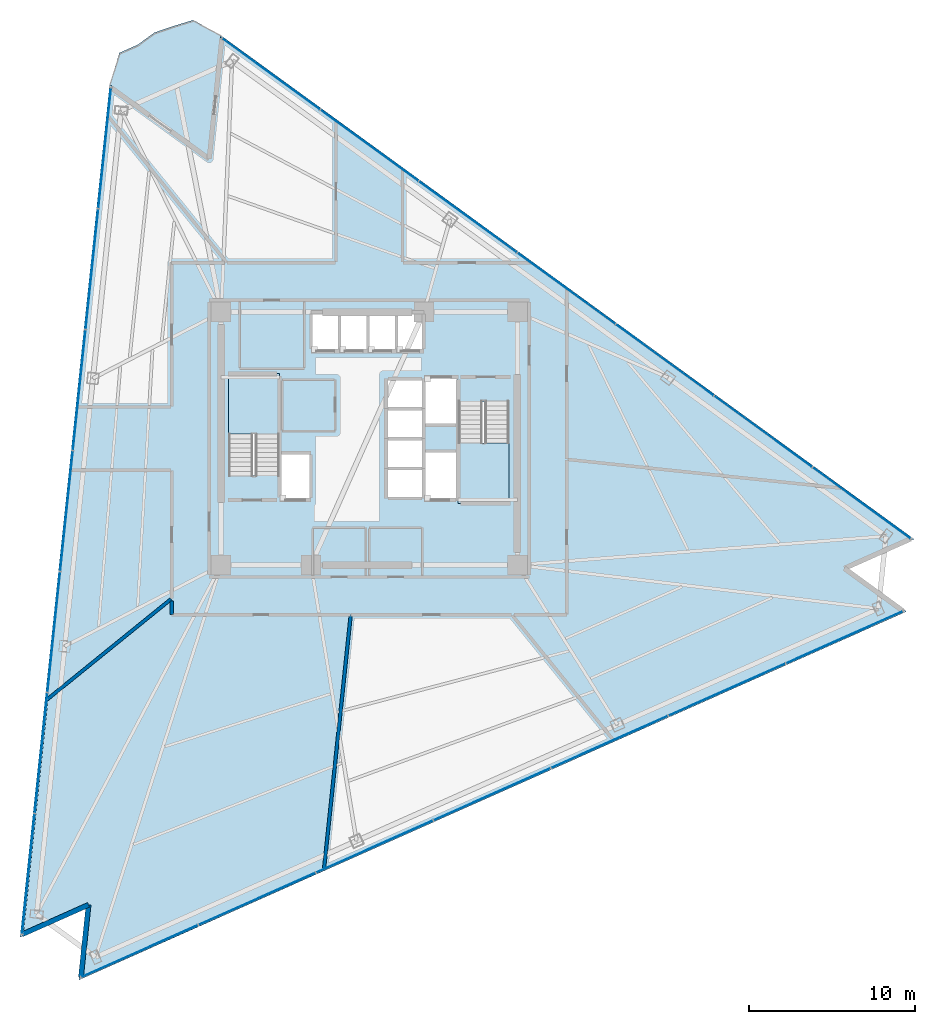
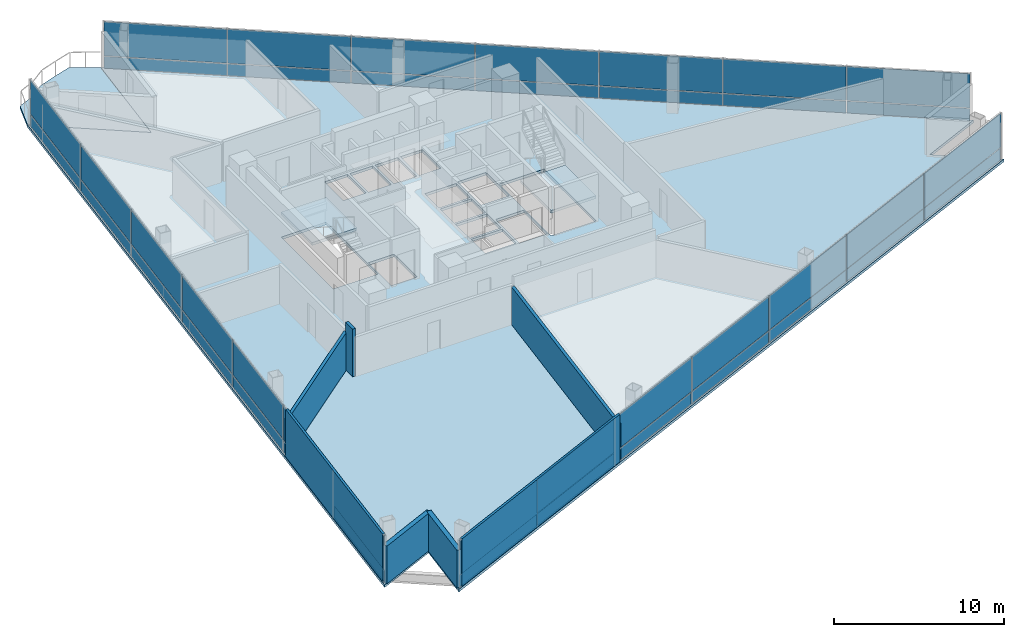
# One storey, part 10 of 17: 42 plates, 7 walls, 4 slabs, 5 elements without a shape of their own.
"""IFC4 building model written with IfcOpenShell, lengths in metres."""

from ifc_helpers import new_model, si_unit, direction, frame, frame_2d, origin, origin_2d, place, context, subcontext, project, spatial, polyline, rectangle, outline, extrude, material, layer, layer_set, type_object, element, aggregate, save


model = new_model("IFC4")

# Units and contexts
model_context = context("Model", 3, precision=1e-05, world=origin(), true_north=direction((0.0, 1.0)))
body_context = subcontext(model_context, "Body", "Model", "MODEL_VIEW")
ifc_project = project(units=[si_unit("LENGTHUNIT", "METRE"), si_unit("AREAUNIT", "SQUARE_METRE"), si_unit("VOLUMEUNIT", "CUBIC_METRE"), si_unit("PLANEANGLEUNIT", "RADIAN"), si_unit("MASSUNIT", "GRAM", prefix="KILO")], contexts=[model_context])

# Site, building, storey
site_placement = place(None, origin())
site = spatial("IfcSite", under=ifc_project, at=site_placement, CompositionType="ELEMENT")
building_placement = place(site_placement, origin())
building = spatial("IfcBuilding", under=site, at=building_placement, Name="Tharavind Bronze Gate", CompositionType="ELEMENT")
storey_placement = place(building_placement, frame((0.0, 0.0, 119.64990234375)))
storey = spatial("IfcBuildingStorey", under=building, at=storey_placement, Name="L30", CompositionType="ELEMENT", Elevation=119.64990234375)

# Curtain wall, plates
ifc_material_1 = material(Name="Anodised Bronze Aluminium", Category="aluminium")
ifc_layer_1 = layer(ifc_material_1, 0.219970703125)
ifc_layer_set_1 = layer_set([ifc_layer_1], Name="Anodised Bronze Aluminium")
curtain_wall_type = type_object("IfcCurtainWallType", Name="UNITISED CURTAIN WALL LOWER OFFICE", PredefinedType="USERDEFINED", material=ifc_layer_set_1)
curtain_wall_1_placement = place(storey_placement, origin())
curtain_wall_1 = element("IfcCurtainWall", 1, at=curtain_wall_1_placement, inside=storey, type_object=curtain_wall_type, Name="L30 unitised curtain wall lower office CW-L30-S1", ObjectType="UNITISED CURTAIN WALL", PredefinedType="USERDEFINED")
ifc_material_2 = material(Name="Patinated Bronze Alloy Sheet", Category="bronze")
ifc_layer_2 = layer(ifc_material_2, 0.01611328125)
ifc_layer_set_2 = layer_set([ifc_layer_2], Name="Patinated Bronze Alloy Sheet")
plate_type_1 = type_object("IfcPlateType", Name="BRONZE SPANDREL CLADDING PANEL 16", PredefinedType="CURTAIN_PANEL", material=ifc_layer_set_2)
plate_1_placement = place(storey_placement, frame((-15.909912109375, 17.465087890625, 0.02685546875), z_axis=(0.0, 0.0, 1.0), x_axis=(-0.104526727499, -0.994522077803, 0.0)))
plate_1 = element("IfcPlate", 2, at=plate_1_placement, type_object=plate_type_1, Name="CW-L30-S1 bronze spandrel panel 1", PredefinedType="CURTAIN_PANEL", context=body_context, shape_type="SweptSolid", body=[
    extrude(rectangle(XDim=7.26025390625, YDim=0.01611328125, at=origin_2d()), origin(), (0.0, 0.0, 1.0), 0.846923828125),
])
plate_2_placement = place(storey_placement, frame((-16.67431640625, 10.19189453125, 0.02685546875), z_axis=(0.0, 0.0, 1.0), x_axis=(-0.104526727499, -0.994522077803, 0.0)))
plate_2 = element("IfcPlate", 3, at=plate_2_placement, type_object=plate_type_1, Name="CW-L30-S1 bronze spandrel panel 2", PredefinedType="CURTAIN_PANEL", context=body_context, shape_type="SweptSolid", body=[
    extrude(rectangle(XDim=7.26025390625, YDim=0.01611328125, at=origin_2d()), origin(), (0.0, 0.0, 1.0), 0.846923828125),
])
plate_3_placement = place(storey_placement, frame((-17.438720703125, 2.91845703125, 0.02685546875), z_axis=(0.0, 0.0, 1.0), x_axis=(-0.104526727499, -0.994522077803, 0.0)))
plate_3 = element("IfcPlate", 4, at=plate_3_placement, type_object=plate_type_1, Name="CW-L30-S1 bronze spandrel panel 3", PredefinedType="CURTAIN_PANEL", context=body_context, shape_type="SweptSolid", body=[
    extrude(rectangle(XDim=7.26025390625, YDim=0.01611328125, at=origin_2d()), origin(), (0.0, 0.0, 1.0), 0.846923828125),
])
plate_4_placement = place(storey_placement, frame((-18.203125, -4.354736328125, 0.02685546875), z_axis=(0.0, 0.0, 1.0), x_axis=(-0.104526727499, -0.994522077803, 0.0)))
plate_4 = element("IfcPlate", 5, at=plate_4_placement, type_object=plate_type_1, Name="CW-L30-S1 bronze spandrel panel 4", PredefinedType="CURTAIN_PANEL", context=body_context, shape_type="SweptSolid", body=[
    extrude(rectangle(XDim=7.26025390625, YDim=0.01611328125, at=origin_2d()), origin(), (0.0, 0.0, 1.0), 0.846923828125),
])
plate_5_placement = place(storey_placement, frame((-18.967529296875, -11.628173828125, 0.02685546875), z_axis=(0.0, 0.0, 1.0), x_axis=(-0.104526727499, -0.994522077803, 0.0)))
plate_5 = element("IfcPlate", 6, at=plate_5_placement, type_object=plate_type_1, Name="CW-L30-S1 bronze spandrel panel 5", PredefinedType="CURTAIN_PANEL", context=body_context, shape_type="SweptSolid", body=[
    extrude(rectangle(XDim=7.26025390625, YDim=0.01611328125, at=origin_2d()), origin(), (0.0, 0.0, 1.0), 0.846923828125),
])
plate_6_placement = place(storey_placement, frame((-19.73193359375, -18.9013671875, 0.02685546875), z_axis=(0.0, 0.0, 1.0), x_axis=(-0.104526727499, -0.994522077803, 0.0)))
plate_6 = element("IfcPlate", 7, at=plate_6_placement, type_object=plate_type_1, Name="CW-L30-S1 bronze spandrel panel 6", PredefinedType="CURTAIN_PANEL", context=body_context, shape_type="SweptSolid", body=[
    extrude(rectangle(XDim=7.26025390625, YDim=0.01611328125, at=origin_2d()), origin(), (0.0, 0.0, 1.0), 0.846923828125),
])
plate_7_placement = place(storey_placement, frame((-20.49658203125, -26.1748046875, 0.02685546875), z_axis=(0.0, 0.0, 1.0), x_axis=(-0.104526727499, -0.994522077803, 0.0)))
plate_7 = element("IfcPlate", 8, at=plate_7_placement, type_object=plate_type_1, Name="CW-L30-S1 bronze spandrel panel 7", PredefinedType="CURTAIN_PANEL", context=body_context, shape_type="SweptSolid", body=[
    extrude(rectangle(XDim=7.26025390625, YDim=0.01611328125, at=origin_2d()), origin(), (0.0, 0.0, 1.0), 0.846923828125),
])

curtain_wall_2_placement = place(storey_placement, origin())
curtain_wall_2 = element("IfcCurtainWall", 9, at=curtain_wall_2_placement, inside=storey, type_object=curtain_wall_type, Name="L30 unitised curtain wall lower office CW-L30-S2", ObjectType="UNITISED CURTAIN WALL", PredefinedType="USERDEFINED")
plate_8_placement = place(storey_placement, frame((-13.80419921875, -30.813720703125, 0.02685546875), z_axis=(0.0, 0.0, 1.0), x_axis=(0.913545457643, 0.406736643076, 0.0)))
plate_8 = element("IfcPlate", 10, at=plate_8_placement, type_object=plate_type_1, Name="CW-L30-S2 bronze spandrel panel 1", PredefinedType="CURTAIN_PANEL", context=body_context, shape_type="SweptSolid", body=[
    extrude(rectangle(XDim=7.677490234375, YDim=0.01611328125, at=origin_2d()), origin(), (0.0, 0.0, 1.0), 0.846923828125),
])
plate_9_placement = place(storey_placement, frame((-6.741943359375, -27.66943359375, 0.02685546875), z_axis=(0.0, 0.0, 1.0), x_axis=(0.913545457643, 0.406736643076, 0.0)))
plate_9 = element("IfcPlate", 11, at=plate_9_placement, type_object=plate_type_1, Name="CW-L30-S2 bronze spandrel panel 2", PredefinedType="CURTAIN_PANEL", context=body_context, shape_type="SweptSolid", body=[
    extrude(rectangle(XDim=7.677490234375, YDim=0.01611328125, at=origin_2d()), origin(), (0.0, 0.0, 1.0), 0.846923828125),
])
plate_10_placement = place(storey_placement, frame((0.3203125, -24.525146484375, 0.02685546875), z_axis=(0.0, 0.0, 1.0), x_axis=(0.913545457643, 0.406736643076, 0.0)))
plate_10 = element("IfcPlate", 12, at=plate_10_placement, type_object=plate_type_1, Name="CW-L30-S2 bronze spandrel panel 3", PredefinedType="CURTAIN_PANEL", context=body_context, shape_type="SweptSolid", body=[
    extrude(rectangle(XDim=7.677490234375, YDim=0.01611328125, at=origin_2d()), origin(), (0.0, 0.0, 1.0), 0.846923828125),
])
plate_11_placement = place(storey_placement, frame((7.38232421875, -21.380859375, 0.02685546875), z_axis=(0.0, 0.0, 1.0), x_axis=(0.913545457643, 0.406736643076, 0.0)))
plate_11 = element("IfcPlate", 13, at=plate_11_placement, type_object=plate_type_1, Name="CW-L30-S2 bronze spandrel panel 4", PredefinedType="CURTAIN_PANEL", context=body_context, shape_type="SweptSolid", body=[
    extrude(rectangle(XDim=7.677490234375, YDim=0.01611328125, at=origin_2d()), origin(), (0.0, 0.0, 1.0), 0.846923828125),
])
plate_12_placement = place(storey_placement, frame((14.4443359375, -18.236572265625, 0.02685546875), z_axis=(0.0, 0.0, 1.0), x_axis=(0.913545457643, 0.406736643076, 0.0)))
plate_12 = element("IfcPlate", 14, at=plate_12_placement, type_object=plate_type_1, Name="CW-L30-S2 bronze spandrel panel 5", PredefinedType="CURTAIN_PANEL", context=body_context, shape_type="SweptSolid", body=[
    extrude(rectangle(XDim=7.677490234375, YDim=0.01611328125, at=origin_2d()), origin(), (0.0, 0.0, 1.0), 0.846923828125),
])
plate_13_placement = place(storey_placement, frame((21.506591796875, -15.09228515625, 0.02685546875), z_axis=(0.0, 0.0, 1.0), x_axis=(0.913545457643, 0.406736643076, 0.0)))
plate_13 = element("IfcPlate", 15, at=plate_13_placement, type_object=plate_type_1, Name="CW-L30-S2 bronze spandrel panel 6", PredefinedType="CURTAIN_PANEL", context=body_context, shape_type="SweptSolid", body=[
    extrude(rectangle(XDim=7.677490234375, YDim=0.01611328125, at=origin_2d()), origin(), (0.0, 0.0, 1.0), 0.846923828125),
])
plate_14_placement = place(storey_placement, frame((28.568603515625, -11.947998046875, 0.02685546875), z_axis=(0.0, 0.0, 1.0), x_axis=(0.913545457643, 0.406736643076, 0.0)))
plate_14 = element("IfcPlate", 16, at=plate_14_placement, type_object=plate_type_1, Name="CW-L30-S2 bronze spandrel panel 7", PredefinedType="CURTAIN_PANEL", context=body_context, shape_type="SweptSolid", body=[
    extrude(rectangle(XDim=7.677490234375, YDim=0.01611328125, at=origin_2d()), origin(), (0.0, 0.0, 1.0), 0.846923828125),
])

curtain_wall_3_placement = place(storey_placement, origin())
curtain_wall_3 = element("IfcCurtainWall", 17, at=curtain_wall_3_placement, inside=storey, type_object=curtain_wall_type, Name="L30 unitised curtain wall lower office CW-L30-S3", ObjectType="UNITISED CURTAIN WALL", PredefinedType="USERDEFINED")
plate_15_placement = place(storey_placement, frame((29.599365234375, -3.87060546875, 0.02685546875), z_axis=(0.0, 0.0, 1.0), x_axis=(-0.809016994375, 0.587785252292, 0.0)))
plate_15 = element("IfcPlate", 18, at=plate_15_placement, type_object=plate_type_1, Name="CW-L30-S3 bronze spandrel panel 1", PredefinedType="CURTAIN_PANEL", context=body_context, shape_type="SweptSolid", body=[
    extrude(rectangle(XDim=7.260498046875, YDim=0.01611328125, at=origin_2d()), origin(), (0.0, 0.0, 1.0), 0.846923828125),
])
plate_16_placement = place(storey_placement, frame((23.6826171875, 0.427978515625, 0.02685546875), z_axis=(0.0, 0.0, 1.0), x_axis=(-0.809016994375, 0.587785252292, 0.0)))
plate_16 = element("IfcPlate", 19, at=plate_16_placement, type_object=plate_type_1, Name="CW-L30-S3 bronze spandrel panel 2", PredefinedType="CURTAIN_PANEL", context=body_context, shape_type="SweptSolid", body=[
    extrude(rectangle(XDim=7.260498046875, YDim=0.01611328125, at=origin_2d()), origin(), (0.0, 0.0, 1.0), 0.846923828125),
])
plate_17_placement = place(storey_placement, frame((17.76611328125, 4.726806640625, 0.02685546875), z_axis=(0.0, 0.0, 1.0), x_axis=(-0.809016994375, 0.587785252292, 0.0)))
plate_17 = element("IfcPlate", 20, at=plate_17_placement, type_object=plate_type_1, Name="CW-L30-S3 bronze spandrel panel 3", PredefinedType="CURTAIN_PANEL", context=body_context, shape_type="SweptSolid", body=[
    extrude(rectangle(XDim=7.260498046875, YDim=0.01611328125, at=origin_2d()), origin(), (0.0, 0.0, 1.0), 0.846923828125),
])
plate_18_placement = place(storey_placement, frame((11.849365234375, 9.025390625, 0.02685546875), z_axis=(0.0, 0.0, 1.0), x_axis=(-0.809016994375, 0.587785252292, 0.0)))
plate_18 = element("IfcPlate", 21, at=plate_18_placement, type_object=plate_type_1, Name="CW-L30-S3 bronze spandrel panel 4", PredefinedType="CURTAIN_PANEL", context=body_context, shape_type="SweptSolid", body=[
    extrude(rectangle(XDim=7.260498046875, YDim=0.01611328125, at=origin_2d()), origin(), (0.0, 0.0, 1.0), 0.846923828125),
])
plate_19_placement = place(storey_placement, frame((5.932861328125, 13.32421875, 0.02685546875), z_axis=(0.0, 0.0, 1.0), x_axis=(-0.809016994375, 0.587785252292, 0.0)))
plate_19 = element("IfcPlate", 22, at=plate_19_placement, type_object=plate_type_1, Name="CW-L30-S3 bronze spandrel panel 5", PredefinedType="CURTAIN_PANEL", context=body_context, shape_type="SweptSolid", body=[
    extrude(rectangle(XDim=7.260498046875, YDim=0.01611328125, at=origin_2d()), origin(), (0.0, 0.0, 1.0), 0.846923828125),
])
plate_20_placement = place(storey_placement, frame((0.01611328125, 17.622802734375, 0.02685546875), z_axis=(0.0, 0.0, 1.0), x_axis=(-0.809016994375, 0.587785252292, 0.0)))
plate_20 = element("IfcPlate", 23, at=plate_20_placement, type_object=plate_type_1, Name="CW-L30-S3 bronze spandrel panel 6", PredefinedType="CURTAIN_PANEL", context=body_context, shape_type="SweptSolid", body=[
    extrude(rectangle(XDim=7.260498046875, YDim=0.01611328125, at=origin_2d()), origin(), (0.0, 0.0, 1.0), 0.846923828125),
])
plate_21_placement = place(storey_placement, frame((-5.900390625, 21.921630859375, 0.02685546875), z_axis=(0.0, 0.0, 1.0), x_axis=(-0.809016994375, 0.587785252292, 0.0)))
plate_21 = element("IfcPlate", 24, at=plate_21_placement, type_object=plate_type_1, Name="CW-L30-S3 bronze spandrel panel 7", PredefinedType="CURTAIN_PANEL", context=body_context, shape_type="SweptSolid", body=[
    extrude(rectangle(XDim=7.260498046875, YDim=0.01611328125, at=origin_2d()), origin(), (0.0, 0.0, 1.0), 0.846923828125),
])

# Plate
ifc_material_3 = material(Name="Low-E Double Glazing", Category="glass")
ifc_layer_3 = layer(ifc_material_3, 0.031982421875)
ifc_layer_set_3 = layer_set([ifc_layer_3], Name="Low-E Double Glazing")
plate_type_2 = type_object("IfcPlateType", Name="DOUBLE GLAZED FACADE PANEL 32", PredefinedType="CURTAIN_PANEL", material=ifc_layer_set_3)
plate_22_placement = place(storey_placement, frame((-15.909912109375, 17.465087890625, 0.926513671875), z_axis=(0.0, 0.0, 1.0), x_axis=(-0.104526727499, -0.994522077803, 0.0)))
plate_22 = element("IfcPlate", 25, at=plate_22_placement, type_object=plate_type_2, Name="CW-L30-S1 vision glazing panel 1", PredefinedType="CURTAIN_PANEL", context=body_context, shape_type="SweptSolid", body=[
    extrude(rectangle(XDim=7.26025390625, YDim=0.031982421875, at=origin_2d()), origin(), (0.0, 0.0, 1.0), 2.45703125),
])

plate_23_placement = place(storey_placement, frame((-16.67431640625, 10.19189453125, 0.926513671875), z_axis=(0.0, 0.0, 1.0), x_axis=(-0.104526727499, -0.994522077803, 0.0)))
plate_23 = element("IfcPlate", 26, at=plate_23_placement, type_object=plate_type_2, Name="CW-L30-S1 vision glazing panel 2", PredefinedType="CURTAIN_PANEL", context=body_context, shape_type="SweptSolid", body=[
    extrude(rectangle(XDim=7.26025390625, YDim=0.031982421875, at=origin_2d()), origin(), (0.0, 0.0, 1.0), 2.45703125),
])

plate_24_placement = place(storey_placement, frame((-17.438720703125, 2.91845703125, 0.926513671875), z_axis=(0.0, 0.0, 1.0), x_axis=(-0.104526727499, -0.994522077803, 0.0)))
plate_24 = element("IfcPlate", 27, at=plate_24_placement, type_object=plate_type_2, Name="CW-L30-S1 vision glazing panel 3", PredefinedType="CURTAIN_PANEL", context=body_context, shape_type="SweptSolid", body=[
    extrude(rectangle(XDim=7.26025390625, YDim=0.031982421875, at=origin_2d()), origin(), (0.0, 0.0, 1.0), 2.45703125),
])

plate_25_placement = place(storey_placement, frame((-18.203125, -4.354736328125, 0.926513671875), z_axis=(0.0, 0.0, 1.0), x_axis=(-0.104526727499, -0.994522077803, 0.0)))
plate_25 = element("IfcPlate", 28, at=plate_25_placement, type_object=plate_type_2, Name="CW-L30-S1 vision glazing panel 4", PredefinedType="CURTAIN_PANEL", context=body_context, shape_type="SweptSolid", body=[
    extrude(rectangle(XDim=7.26025390625, YDim=0.031982421875, at=origin_2d()), origin(), (0.0, 0.0, 1.0), 2.45703125),
])

plate_26_placement = place(storey_placement, frame((-18.967529296875, -11.628173828125, 0.926513671875), z_axis=(0.0, 0.0, 1.0), x_axis=(-0.104526727499, -0.994522077803, 0.0)))
plate_26 = element("IfcPlate", 29, at=plate_26_placement, type_object=plate_type_2, Name="CW-L30-S1 vision glazing panel 5", PredefinedType="CURTAIN_PANEL", context=body_context, shape_type="SweptSolid", body=[
    extrude(rectangle(XDim=7.26025390625, YDim=0.031982421875, at=origin_2d()), origin(), (0.0, 0.0, 1.0), 2.45703125),
])

plate_27_placement = place(storey_placement, frame((-19.73193359375, -18.9013671875, 0.926513671875), z_axis=(0.0, 0.0, 1.0), x_axis=(-0.104526727499, -0.994522077803, 0.0)))
plate_27 = element("IfcPlate", 30, at=plate_27_placement, type_object=plate_type_2, Name="CW-L30-S1 vision glazing panel 6", PredefinedType="CURTAIN_PANEL", context=body_context, shape_type="SweptSolid", body=[
    extrude(rectangle(XDim=7.26025390625, YDim=0.031982421875, at=origin_2d()), origin(), (0.0, 0.0, 1.0), 2.45703125),
])

plate_28_placement = place(storey_placement, frame((-20.49658203125, -26.1748046875, 0.926513671875), z_axis=(0.0, 0.0, 1.0), x_axis=(-0.104526727499, -0.994522077803, 0.0)))
plate_28 = element("IfcPlate", 31, at=plate_28_placement, type_object=plate_type_2, Name="CW-L30-S1 vision glazing panel 7", PredefinedType="CURTAIN_PANEL", context=body_context, shape_type="SweptSolid", body=[
    extrude(rectangle(XDim=7.26025390625, YDim=0.031982421875, at=origin_2d()), origin(), (0.0, 0.0, 1.0), 2.45703125),
])

aggregate(curtain_wall_1, [plate_1, plate_22, plate_2, plate_23, plate_3, plate_24, plate_4, plate_25, plate_5, plate_26, plate_6, plate_27, plate_7, plate_28])

plate_29_placement = place(storey_placement, frame((-13.80419921875, -30.813720703125, 0.926513671875), z_axis=(0.0, 0.0, 1.0), x_axis=(0.913545457643, 0.406736643076, 0.0)))
plate_29 = element("IfcPlate", 32, at=plate_29_placement, type_object=plate_type_2, Name="CW-L30-S2 vision glazing panel 1", PredefinedType="CURTAIN_PANEL", context=body_context, shape_type="SweptSolid", body=[
    extrude(rectangle(XDim=7.677490234375, YDim=0.031982421875, at=origin_2d()), origin(), (0.0, 0.0, 1.0), 2.45703125),
])

plate_30_placement = place(storey_placement, frame((-6.741943359375, -27.66943359375, 0.926513671875), z_axis=(0.0, 0.0, 1.0), x_axis=(0.913545457643, 0.406736643076, 0.0)))
plate_30 = element("IfcPlate", 33, at=plate_30_placement, type_object=plate_type_2, Name="CW-L30-S2 vision glazing panel 2", PredefinedType="CURTAIN_PANEL", context=body_context, shape_type="SweptSolid", body=[
    extrude(rectangle(XDim=7.677490234375, YDim=0.031982421875, at=origin_2d()), origin(), (0.0, 0.0, 1.0), 2.45703125),
])

plate_31_placement = place(storey_placement, frame((0.3203125, -24.525146484375, 0.926513671875), z_axis=(0.0, 0.0, 1.0), x_axis=(0.913545457643, 0.406736643076, 0.0)))
plate_31 = element("IfcPlate", 34, at=plate_31_placement, type_object=plate_type_2, Name="CW-L30-S2 vision glazing panel 3", PredefinedType="CURTAIN_PANEL", context=body_context, shape_type="SweptSolid", body=[
    extrude(rectangle(XDim=7.677490234375, YDim=0.031982421875, at=origin_2d()), origin(), (0.0, 0.0, 1.0), 2.45703125),
])

plate_32_placement = place(storey_placement, frame((7.38232421875, -21.380859375, 0.926513671875), z_axis=(0.0, 0.0, 1.0), x_axis=(0.913545457643, 0.406736643076, 0.0)))
plate_32 = element("IfcPlate", 35, at=plate_32_placement, type_object=plate_type_2, Name="CW-L30-S2 vision glazing panel 4", PredefinedType="CURTAIN_PANEL", context=body_context, shape_type="SweptSolid", body=[
    extrude(rectangle(XDim=7.677490234375, YDim=0.031982421875, at=origin_2d()), origin(), (0.0, 0.0, 1.0), 2.45703125),
])

plate_33_placement = place(storey_placement, frame((14.4443359375, -18.236572265625, 0.926513671875), z_axis=(0.0, 0.0, 1.0), x_axis=(0.913545457643, 0.406736643076, 0.0)))
plate_33 = element("IfcPlate", 36, at=plate_33_placement, type_object=plate_type_2, Name="CW-L30-S2 vision glazing panel 5", PredefinedType="CURTAIN_PANEL", context=body_context, shape_type="SweptSolid", body=[
    extrude(rectangle(XDim=7.677490234375, YDim=0.031982421875, at=origin_2d()), origin(), (0.0, 0.0, 1.0), 2.45703125),
])

plate_34_placement = place(storey_placement, frame((21.506591796875, -15.09228515625, 0.926513671875), z_axis=(0.0, 0.0, 1.0), x_axis=(0.913545457643, 0.406736643076, 0.0)))
plate_34 = element("IfcPlate", 37, at=plate_34_placement, type_object=plate_type_2, Name="CW-L30-S2 vision glazing panel 6", PredefinedType="CURTAIN_PANEL", context=body_context, shape_type="SweptSolid", body=[
    extrude(rectangle(XDim=7.677490234375, YDim=0.031982421875, at=origin_2d()), origin(), (0.0, 0.0, 1.0), 2.45703125),
])

plate_35_placement = place(storey_placement, frame((28.568603515625, -11.947998046875, 0.926513671875), z_axis=(0.0, 0.0, 1.0), x_axis=(0.913545457643, 0.406736643076, 0.0)))
plate_35 = element("IfcPlate", 38, at=plate_35_placement, type_object=plate_type_2, Name="CW-L30-S2 vision glazing panel 7", PredefinedType="CURTAIN_PANEL", context=body_context, shape_type="SweptSolid", body=[
    extrude(rectangle(XDim=7.677490234375, YDim=0.031982421875, at=origin_2d()), origin(), (0.0, 0.0, 1.0), 2.45703125),
])

aggregate(curtain_wall_2, [plate_8, plate_29, plate_9, plate_30, plate_10, plate_31, plate_11, plate_32, plate_12, plate_33, plate_13, plate_34, plate_14, plate_35])

plate_36_placement = place(storey_placement, frame((29.599365234375, -3.87060546875, 0.926513671875), z_axis=(0.0, 0.0, 1.0), x_axis=(-0.809016994375, 0.587785252292, 0.0)))
plate_36 = element("IfcPlate", 39, at=plate_36_placement, type_object=plate_type_2, Name="CW-L30-S3 vision glazing panel 1", PredefinedType="CURTAIN_PANEL", context=body_context, shape_type="SweptSolid", body=[
    extrude(rectangle(XDim=7.260498046875, YDim=0.031982421875, at=origin_2d()), origin(), (0.0, 0.0, 1.0), 2.45703125),
])

plate_37_placement = place(storey_placement, frame((23.6826171875, 0.427978515625, 0.926513671875), z_axis=(0.0, 0.0, 1.0), x_axis=(-0.809016994375, 0.587785252292, 0.0)))
plate_37 = element("IfcPlate", 40, at=plate_37_placement, type_object=plate_type_2, Name="CW-L30-S3 vision glazing panel 2", PredefinedType="CURTAIN_PANEL", context=body_context, shape_type="SweptSolid", body=[
    extrude(rectangle(XDim=7.260498046875, YDim=0.031982421875, at=origin_2d()), origin(), (0.0, 0.0, 1.0), 2.45703125),
])

plate_38_placement = place(storey_placement, frame((17.76611328125, 4.726806640625, 0.926513671875), z_axis=(0.0, 0.0, 1.0), x_axis=(-0.809016994375, 0.587785252292, 0.0)))
plate_38 = element("IfcPlate", 41, at=plate_38_placement, type_object=plate_type_2, Name="CW-L30-S3 vision glazing panel 3", PredefinedType="CURTAIN_PANEL", context=body_context, shape_type="SweptSolid", body=[
    extrude(rectangle(XDim=7.260498046875, YDim=0.031982421875, at=origin_2d()), origin(), (0.0, 0.0, 1.0), 2.45703125),
])

plate_39_placement = place(storey_placement, frame((11.849365234375, 9.025390625, 0.926513671875), z_axis=(0.0, 0.0, 1.0), x_axis=(-0.809016994375, 0.587785252292, 0.0)))
plate_39 = element("IfcPlate", 42, at=plate_39_placement, type_object=plate_type_2, Name="CW-L30-S3 vision glazing panel 4", PredefinedType="CURTAIN_PANEL", context=body_context, shape_type="SweptSolid", body=[
    extrude(rectangle(XDim=7.260498046875, YDim=0.031982421875, at=origin_2d()), origin(), (0.0, 0.0, 1.0), 2.45703125),
])

plate_40_placement = place(storey_placement, frame((5.932861328125, 13.32421875, 0.926513671875), z_axis=(0.0, 0.0, 1.0), x_axis=(-0.809016994375, 0.587785252292, 0.0)))
plate_40 = element("IfcPlate", 43, at=plate_40_placement, type_object=plate_type_2, Name="CW-L30-S3 vision glazing panel 5", PredefinedType="CURTAIN_PANEL", context=body_context, shape_type="SweptSolid", body=[
    extrude(rectangle(XDim=7.260498046875, YDim=0.031982421875, at=origin_2d()), origin(), (0.0, 0.0, 1.0), 2.45703125),
])

plate_41_placement = place(storey_placement, frame((0.01611328125, 17.622802734375, 0.926513671875), z_axis=(0.0, 0.0, 1.0), x_axis=(-0.809016994375, 0.587785252292, 0.0)))
plate_41 = element("IfcPlate", 44, at=plate_41_placement, type_object=plate_type_2, Name="CW-L30-S3 vision glazing panel 6", PredefinedType="CURTAIN_PANEL", context=body_context, shape_type="SweptSolid", body=[
    extrude(rectangle(XDim=7.260498046875, YDim=0.031982421875, at=origin_2d()), origin(), (0.0, 0.0, 1.0), 2.45703125),
])

plate_42_placement = place(storey_placement, frame((-5.900390625, 21.921630859375, 0.926513671875), z_axis=(0.0, 0.0, 1.0), x_axis=(-0.809016994375, 0.587785252292, 0.0)))
plate_42 = element("IfcPlate", 45, at=plate_42_placement, type_object=plate_type_2, Name="CW-L30-S3 vision glazing panel 7", PredefinedType="CURTAIN_PANEL", context=body_context, shape_type="SweptSolid", body=[
    extrude(rectangle(XDim=7.260498046875, YDim=0.031982421875, at=origin_2d()), origin(), (0.0, 0.0, 1.0), 2.45703125),
])

aggregate(curtain_wall_3, [plate_15, plate_36, plate_16, plate_37, plate_17, plate_38, plate_18, plate_39, plate_19, plate_40, plate_20, plate_41, plate_21, plate_42])

# Slab
ifc_material_4 = material(Name="Concrete C40/50", Category="concrete")
ifc_layer_4 = layer(ifc_material_4, 0.179931640625)
ifc_layer_set_4 = layer_set([ifc_layer_4], Name="Concrete C40/50")
slab_type_1 = type_object("IfcSlabType", Name="EXTERIOR BALCONY SLAB 180", PredefinedType="FLOOR", material=ifc_layer_set_4)
slab_1_placement = place(storey_placement, frame((0.0, 0.0, -0.179931640625)))
element("IfcSlab", 46, at=slab_1_placement, inside=storey, type_object=slab_type_1, Name="L30 northeast tree balcony slab", PredefinedType="FLOOR", context=body_context, shape_type="SweptSolid", body=[
    extrude(outline(polyline([(-10.579833984375, 25.165283203125), (-11.75146484375, 24.8056640625), (-12.90869140625, 24.413330078125), (-13.914306640625, 23.680908203125), (-15.02587890625, 23.18603515625), (-15.60888671875, 21.284423828125), (-9.703125, 16.99365234375), (-8.940185546875, 24.253662109375), (-10.579833984375, 25.165283203125)])), origin(), (0.0, 0.0, 1.0), 0.179931640625),
])

# Stair, slab
stair_type = type_object("IfcStairType", Name="CORE HALF TURN STAIR 1450", PredefinedType="HALF_TURN_STAIR", material=ifc_material_4)
stair_1_placement = place(storey_placement, origin())
stair_1 = element("IfcStair", 47, at=stair_1_placement, inside=storey, type_object=stair_type, Name="L30 Protected Exit Stair ST1", PredefinedType="HALF_TURN_STAIR")
ifc_layer_5 = layer(ifc_material_4, 0.199951171875)
ifc_layer_set_5 = layer_set([ifc_layer_5], Name="Concrete C40/50")
slab_type_2 = type_object("IfcSlabType", Name="STAIR LANDING SLAB 200", PredefinedType="LANDING", material=ifc_layer_set_5)
slab_2_placement = place(storey_placement, frame((0.0, 0.0, 1.60009765625)))
slab_2 = element("IfcSlab", 48, at=slab_2_placement, type_object=slab_type_2, Name="ST1 landing 1", PredefinedType="LANDING", context=body_context, shape_type="SweptSolid", body=[
    extrude(outline(polyline([(-5.39990234375, 0.27001953125), (-5.39990234375, 3.89990234375), (-8.449951171875, 3.89990234375), (-8.449951171875, 0.27001953125), (-5.39990234375, 0.27001953125)])), origin(), (0.0, 0.0, 1.0), 0.199951171875),
])
aggregate(stair_1, [slab_2])

stair_2_placement = place(storey_placement, origin())
stair_2 = element("IfcStair", 49, at=stair_2_placement, inside=storey, type_object=stair_type, Name="L30 Protected Exit Stair ST2", PredefinedType="HALF_TURN_STAIR")
slab_3_placement = place(storey_placement, frame((0.0, 0.0, 1.60009765625)))
slab_3 = element("IfcSlab", 50, at=slab_3_placement, type_object=slab_type_2, Name="ST2 landing 1", PredefinedType="LANDING", context=body_context, shape_type="SweptSolid", body=[
    extrude(outline(polyline([(5.35009765625, -0.27001953125), (5.35009765625, -3.89990234375), (8.39990234375, -3.89990234375), (8.39990234375, -0.27001953125), (5.35009765625, -0.27001953125)])), origin(), (0.0, 0.0, 1.0), 0.199951171875),
])
aggregate(stair_2, [slab_3])

# Slab
ifc_layer_6 = layer(ifc_material_4, 0.18994140625)
ifc_layer_set_6 = layer_set([ifc_layer_6], Name="Concrete C40/50")
slab_type_3 = type_object("IfcSlabType", Name="STRUCTURAL FLOOR SLAB 190", PredefinedType="FLOOR", material=ifc_layer_set_6)
slab_4_placement = place(storey_placement, frame((0.0, 0.0, -0.18994140625)))
element("IfcSlab", 51, at=slab_4_placement, inside=storey, type_object=slab_type_3, Name="L30 main structural floor slab", PredefinedType="FLOOR", context=body_context, shape_type="SweptSolid", body=[
    extrude(outline(polyline([(-8.940185546875, 24.253662109375), (-9.703125, 16.99365234375), (-15.60888671875, 21.284423828125), (-20.996337890625, -29.97314453125), (-16.9951171875, -28.191650390625), (-17.452880859375, -32.547607421875), (32.298583984375, -10.396728515625), (28.755126953125, -7.822265625), (32.756591796875, -6.040771484375), (-8.940185546875, 24.253662109375)]), holes=[polyline([(-5.39990234375, -2.215087890625), (-5.39990234375, 3.89990234375), (-8.449951171875, 3.89990234375), (-8.449951171875, -2.215087890625), (-5.39990234375, -2.215087890625)]), polyline([(5.35009765625, 2.215087890625), (5.35009765625, -3.89990234375), (8.39990234375, -3.89990234375), (8.39990234375, 2.215087890625), (5.35009765625, 2.215087890625)]), polyline([(-3.419921875, 5.330078125), (-1.867431640625, 5.330078125), (-1.867431640625, 7.52001953125), (-3.419921875, 7.52001953125), (-3.419921875, 5.330078125)]), polyline([(-1.70751953125, 5.330078125), (-0.155029296875, 5.330078125), (-0.155029296875, 7.52001953125), (-1.70751953125, 7.52001953125), (-1.70751953125, 5.330078125)]), polyline([(0.0048828125, 5.330078125), (1.5576171875, 5.330078125), (1.5576171875, 7.52001953125), (0.0048828125, 7.52001953125), (0.0048828125, 5.330078125)]), polyline([(1.717529296875, 5.330078125), (3.199951171875, 5.330078125), (3.199951171875, 7.52001953125), (1.717529296875, 7.52001953125), (1.717529296875, 5.330078125)]), polyline([(1.080078125, -3.52001953125), (3.199951171875, -3.52001953125), (3.199951171875, -1.8798828125), (1.080078125, -1.8798828125), (1.080078125, -3.52001953125)]), polyline([(1.080078125, -1.719970703125), (3.199951171875, -1.719970703125), (3.199951171875, -0.080078125), (1.080078125, -0.080078125), (1.080078125, -1.719970703125)]), polyline([(1.080078125, 0.080078125), (3.199951171875, 0.080078125), (3.199951171875, 1.719970703125), (1.080078125, 1.719970703125), (1.080078125, 0.080078125)]), polyline([(1.080078125, 1.8798828125), (3.199951171875, 1.8798828125), (3.199951171875, 3.52001953125), (1.080078125, 3.52001953125), (1.080078125, 1.8798828125)]), polyline([(-5.320068359375, -3.6201171875), (-3.580078125, -3.6201171875), (-3.580078125, -0.929931640625), (-5.320068359375, -0.929931640625), (-5.320068359375, -3.6201171875)]), polyline([(3.360107421875, 0.8798828125), (5.27001953125, 0.8798828125), (5.27001953125, 3.6201171875), (3.360107421875, 3.6201171875), (3.360107421875, 0.8798828125)]), polyline([(3.360107421875, -3.6201171875), (5.27001953125, -3.6201171875), (5.27001953125, -0.830078125), (3.360107421875, -0.830078125), (3.360107421875, -3.6201171875)])]), origin(), (0.0, 0.0, 1.0), 0.18994140625),
])

# Walls
ifc_layer_7 = layer(ifc_material_4, 0.300048828125)
ifc_layer_set_7 = layer_set([ifc_layer_7], Name="Concrete C40/50")
wall_type_1 = type_object("IfcWallType", Name="EXTERIOR SPANDREL WALL 300", PredefinedType="STANDARD", material=ifc_layer_set_7)
for number, where, z_axis, x_axis, name in (
    (52, (-20.878662109375, -29.811279296875, 0.0), (0.0, 0.0, 1.0), (0.913542411385, 0.406743485013, 0.0), "L30 notch cheek wall 2A"),
    (53, (-16.87744140625, -28.02978515625, 0.0), (0.0, 0.0, 1.0), (-0.10451359066, -0.99452345843, 0.0), "L30 notch cheek wall 2B"),
):
    element("IfcWall", number, at=place(storey_placement, frame(where, z_axis=z_axis, x_axis=x_axis)), inside=storey, type_object=wall_type_1, Name=name, PredefinedType="STANDARD", context=body_context, shape_type="SweptSolid", body=[
        extrude(rectangle(XDim=4.3798828125, YDim=0.300048828125, at=frame_2d((2.18994140625, 0.0))), origin(), (0.0, 0.0, 1.0), 2.705078125),
    ])
ifc_material_5 = material(Name="Aerated Concrete Block", Category="concrete")
ifc_layer_8 = layer(ifc_material_5, 0.199951171875)
ifc_layer_set_8 = layer_set([ifc_layer_8], Name="Aerated Concrete Block")
wall_type_2 = type_object("IfcWallType", Name="FIRE RATED PARTITION 200", PredefinedType="PARTITIONING", material=ifc_layer_set_8)
wall_1_placement = place(storey_placement, frame((-19.38818359375, -15.7001953125, 0.0), z_axis=(0.0, 0.0, 1.0), x_axis=(0.777156700548, 0.629307129145, 0.0)))
element("IfcWall", 54, at=wall_1_placement, inside=storey, type_object=wall_type_2, Name="L30 Public Restrooms Block partition", PredefinedType="PARTITIONING", context=body_context, shape_type="SweptSolid", body=[
    extrude(rectangle(XDim=9.60888671875, YDim=0.199951171875, at=frame_2d((4.804443359375, 0.0))), origin(), (0.0, 0.0, 1.0), 2.705078125),
])
wall_2_placement = place(storey_placement, frame((-11.8798828125, -9.75537109375, 0.0), z_axis=(0.0, 0.0, 1.0), x_axis=(0.0, -1.0, 0.0)))
element("IfcWall", 55, at=wall_2_placement, inside=storey, type_object=wall_type_2, Name="L30 Public Restrooms Block partition", PredefinedType="PARTITIONING", context=body_context, shape_type="SweptSolid", body=[
    extrude(rectangle(XDim=0.823974609375, YDim=0.199951171875, at=frame_2d((0.412109375, 0.0))), origin(), (0.0, 0.0, 1.0), 3.41015625),
])
wall_3_placement = place(storey_placement, frame((-1.114990234375, -10.607666015625, 0.0), z_axis=(0.0, 0.0, 1.0), x_axis=(-0.104527380839, -0.994522009136, 0.0)))
element("IfcWall", 56, at=wall_3_placement, inside=storey, type_object=wall_type_2, Name="L30 Public Restrooms Block partition", PredefinedType="PARTITIONING", context=body_context, shape_type="SweptSolid", body=[
    extrude(rectangle(XDim=15.340576171875, YDim=0.199951171875, at=frame_2d((7.67041015625, 0.0))), origin(), (0.0, 0.0, 1.0), 2.705078125),
])
ifc_material_6 = material(Name="Twin Stud Acoustic Gypsum", Category="gypsum")
ifc_layer_9 = layer(ifc_material_6, 0.14990234375)
ifc_layer_set_9 = layer_set([ifc_layer_9], Name="Twin Stud Acoustic Gypsum")
wall_type_3 = type_object("IfcWallType", Name="INTERIOR PARTITION WALL 150", PredefinedType="PARTITIONING", material=ifc_layer_set_9)
wall_4_placement = place(storey_placement, frame((-20.860107421875, -29.63330078125, 0.0), z_axis=(0.0, 0.0, 1.0), x_axis=(0.104527660578, 0.994521979734, 0.0)))
element("IfcWall", 57, at=wall_4_placement, inside=storey, type_object=wall_type_3, Name="L30 Public Restrooms Block partition", PredefinedType="PARTITIONING", context=body_context, shape_type="SweptSolid", body=[
    extrude(rectangle(XDim=13.992919921875, YDim=0.14990234375, at=frame_2d((6.99658203125, 0.0))), origin(), (0.0, 0.0, 1.0), 3.41015625),
])
wall_5_placement = place(storey_placement, frame((-2.733154296875, -25.884521484375, 0.0), z_axis=(0.0, 0.0, 1.0), x_axis=(-0.913544450024, -0.406738906216, 0.0)))
element("IfcWall", 58, at=wall_5_placement, inside=storey, type_object=wall_type_3, Name="L30 Public Restrooms Block partition", PredefinedType="PARTITIONING", context=body_context, shape_type="SweptSolid", body=[
    extrude(rectangle(XDim=15.804931640625, YDim=0.14990234375, at=frame_2d((7.90234375, 0.0))), origin(), (0.0, 0.0, 1.0), 3.41015625),
])

save(model, "model.ifc")
